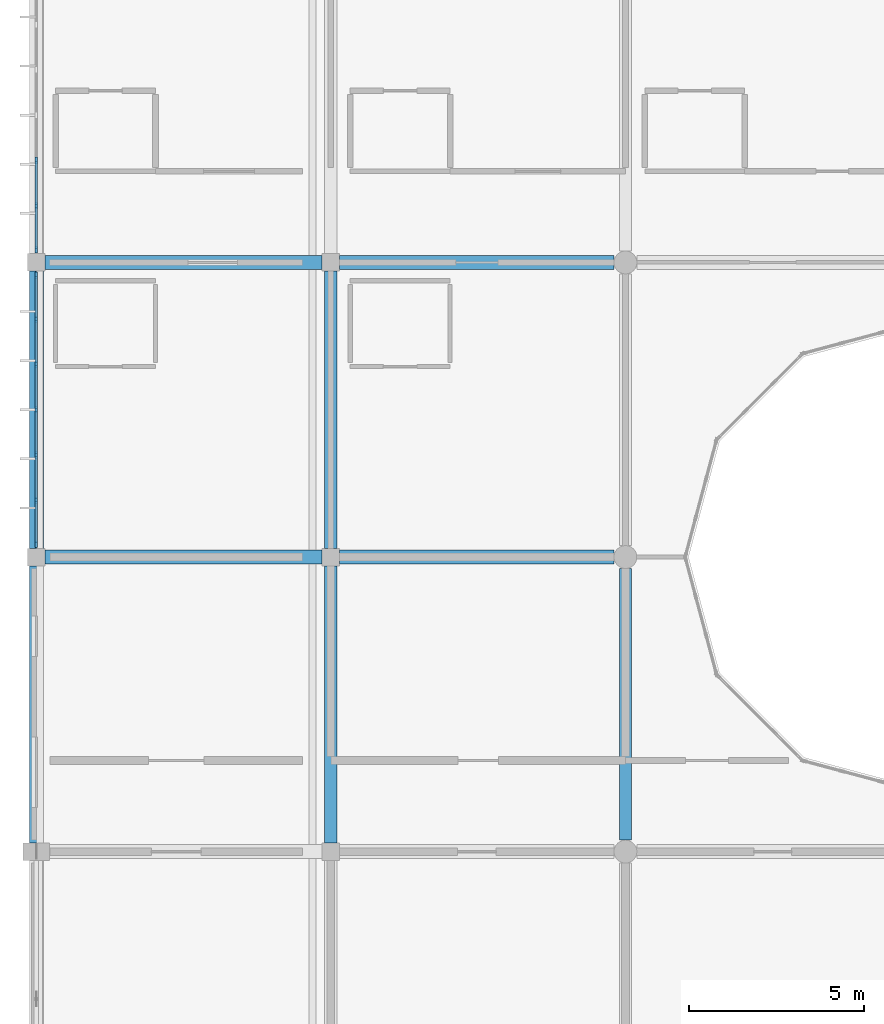
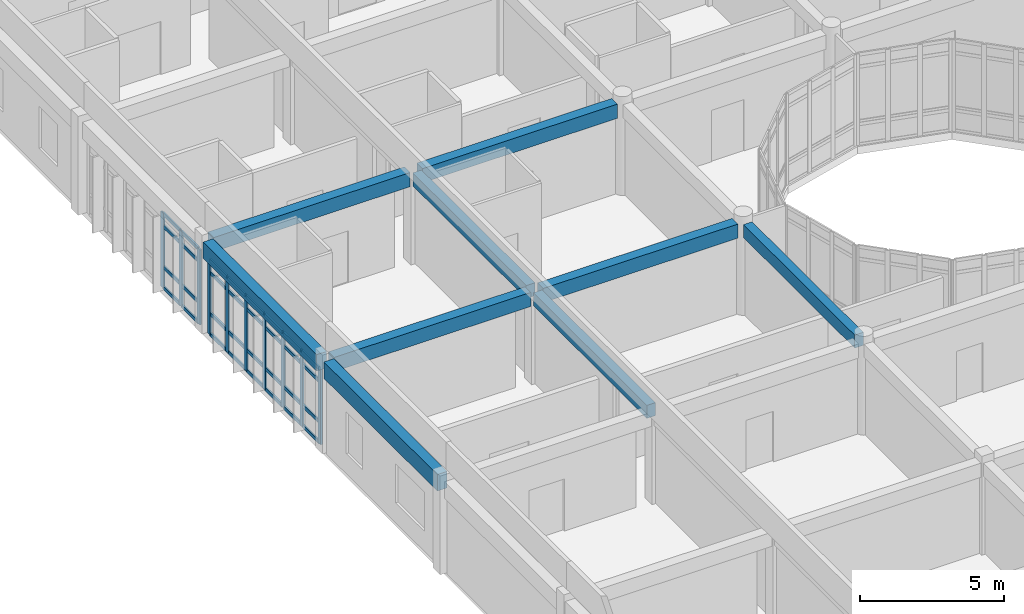
# One storey, part 19 of 119: 42 members, 9 beams, 2 elements without a shape of their own.
"""IFC4 building model written with IfcOpenShell, lengths in metres."""

from ifc_helpers import new_model, si_unit, direction, frame, origin, origin_2d, place, context, subcontext, project, spatial, rectangle, extrude, material, layer, layer_set, material_profile, profile_set, type_object, element, aggregate, save


model = new_model("IFC4")

# Units and contexts
model_context = context("Model", 3, precision=1e-05, world=origin(), true_north=direction((0.0, 1.0)))
body_context = subcontext(model_context, "Body", "Model", "MODEL_VIEW")
ifc_project = project(units=[si_unit("LENGTHUNIT", "METRE"), si_unit("AREAUNIT", "SQUARE_METRE"), si_unit("VOLUMEUNIT", "CUBIC_METRE"), si_unit("PLANEANGLEUNIT", "RADIAN"), si_unit("MASSUNIT", "GRAM", prefix="KILO")], contexts=[model_context])

# Site, building, storey
site_placement = place(None, origin())
site = spatial("IfcSite", under=ifc_project, at=site_placement, CompositionType="ELEMENT")
building_placement = place(site_placement, origin())
building = spatial("IfcBuilding", under=site, at=building_placement, Name="Bramfleet General Hospital", CompositionType="ELEMENT")
storey_placement = place(building_placement, frame((0.0, 0.0, 14.39990234375)))
storey = spatial("IfcBuildingStorey", under=building, at=storey_placement, Name="L03", CompositionType="ELEMENT", Elevation=14.39990234375)

# Beams
ifc_material_1 = material(Name="Concrete C35/45", Category="concrete")
ifc_material_profile_1 = material_profile(ifc_material_1, rectangle(XDim=0.35009765625, YDim=0.550048828125, at=origin_2d()), Name="RC BM 550x350")
ifc_profile_set_1 = profile_set([ifc_material_profile_1], Name="Concrete C35/45")
beam_type_1 = type_object("IfcBeamType", Name="BM-RC550", PredefinedType="BEAM", material=ifc_profile_set_1)
for number, where, z_axis, x_axis, name in (
    (1, (8.39990234375, 75.85009765625, 3.614990234375), (0.0, 1.0, 0.0), (-1.0, 0.0, 0.0), "L03 Grid Beam Y 01-09"),
    (2, (8.39990234375, 84.25, 3.614990234375), (0.0, 1.0, 0.0), (-1.0, 0.0, 0.0), "L03 Grid Beam Y 01-10"),
):
    element("IfcBeam", number, at=place(storey_placement, frame(where, z_axis=z_axis, x_axis=x_axis)), inside=storey, type_object=beam_type_1, Name=name, PredefinedType="BEAM", context=body_context, shape_type="SweptSolid", body=[
        extrude(rectangle(XDim=0.35009765625, YDim=0.550048828125, at=origin_2d()), origin(), (0.0, 0.0, 1.0), 7.89990234375),
    ])
beam_placement = place(storey_placement, frame((16.800048828125, 75.925048828125, 3.614990234375), z_axis=(0.0, 1.0, 0.0), x_axis=(-1.0, 0.0, 0.0)))
element("IfcBeam", 3, at=beam_placement, inside=storey, type_object=beam_type_1, Name="L03 Grid Beam Y 02-09", PredefinedType="BEAM", context=body_context, shape_type="SweptSolid", body=[
    extrude(rectangle(XDim=0.35009765625, YDim=0.550048828125, at=origin_2d()), origin(), (0.0, 0.0, 1.0), 7.75),
])
ifc_material_profile_2 = material_profile(ifc_material_1, rectangle(XDim=0.39990234375, YDim=0.60009765625, at=origin_2d()), Name="RC BM 600x400")
ifc_profile_set_2 = profile_set([ifc_material_profile_2], Name="Concrete C35/45")
beam_type_2 = type_object("IfcBeamType", Name="BM-RC600", PredefinedType="BEAM", material=ifc_profile_set_2)
for number, where, z_axis, x_axis, name in (
    (4, (0.25, 84.0, 3.60009765625), (1.0, 0.0, 0.0), (0.0, 1.0, 0.0), "L03 Grid Beam X 00-10"),
    (5, (0.25, 92.39990234375, 3.60009765625), (1.0, 0.0, 0.0), (0.0, 1.0, 0.0), "L03 Grid Beam X 00-11"),
):
    element("IfcBeam", number, at=place(storey_placement, frame(where, z_axis=z_axis, x_axis=x_axis)), inside=storey, type_object=beam_type_2, Name=name, PredefinedType="BEAM", context=body_context, shape_type="SweptSolid", body=[
        extrude(rectangle(XDim=0.39990234375, YDim=0.60009765625, at=origin_2d()), origin(), (0.0, 0.0, 1.0), 7.89990234375),
    ])
for number, where, z_axis, x_axis, name in (
    (6, (8.64990234375, 84.0, 3.590087890625), (1.0, 0.0, 0.0), (0.0, 1.0, 0.0), "L03 Grid Beam X 01-10"),
    (7, (8.64990234375, 92.39990234375, 3.590087890625), (1.0, 0.0, 0.0), (0.0, 1.0, 0.0), "L03 Grid Beam X 01-11"),
):
    element("IfcBeam", number, at=place(storey_placement, frame(where, z_axis=z_axis, x_axis=x_axis)), inside=storey, type_object=beam_type_2, Name=name, PredefinedType="BEAM", context=body_context, shape_type="SweptSolid", body=[
        extrude(rectangle(XDim=0.39990234375, YDim=0.60009765625, at=origin_2d()), origin(), (0.0, 0.0, 1.0), 7.8251953125),
    ])
ifc_material_profile_3 = material_profile(ifc_material_1, rectangle(XDim=0.39990234375, YDim=0.699951171875, at=origin_2d()), Name="RC SP 700x400")
ifc_profile_set_3 = profile_set([ifc_material_profile_3], Name="Concrete C35/45")
beam_type_3 = type_object("IfcBeamType", Name="BM-SP700", PredefinedType="SPANDREL", material=ifc_profile_set_3)
for number, where, z_axis, x_axis, name in (
    (8, (0.0, 75.85009765625, 3.550048828125), (0.0, 1.0, 0.0), (-1.0, 0.0, 0.0), "L03 Grid Beam Y 00-09"),
    (9, (0.0, 84.25, 3.550048828125), (0.0, 1.0, 0.0), (-1.0, 0.0, 0.0), "L03 Grid Beam Y 00-10"),
):
    element("IfcBeam", number, at=place(storey_placement, frame(where, z_axis=z_axis, x_axis=x_axis)), inside=storey, type_object=beam_type_3, Name=name, PredefinedType="SPANDREL", context=body_context, shape_type="SweptSolid", body=[
        extrude(rectangle(XDim=0.39990234375, YDim=0.699951171875, at=origin_2d()), origin(), (0.0, 0.0, 1.0), 7.89990234375),
    ])

# Curtain wall, members
ifc_material_2 = material(Name="Anodised aluminium and low-E triple glazing", Category="aluminium")
ifc_layer_1 = layer(ifc_material_2, 0.179931640625, Name="CWT-CW-17")
ifc_layer_set_1 = layer_set([ifc_layer_1], Name="Anodised aluminium and low-E triple glazing")
curtain_wall_type_1 = type_object("IfcCurtainWallType", Name="CWT-CW-17", PredefinedType="USERDEFINED", material=ifc_layer_set_1)
curtain_wall_1_placement = place(storey_placement, origin())
curtain_wall_1 = element("IfcCurtainWall", 10, at=curtain_wall_1_placement, inside=storey, type_object=curtain_wall_type_1, Name="L03 Curtain Wall 143", ObjectType="Stick curtain wall", PredefinedType="USERDEFINED")
ifc_material_3 = material(Name="Structural timber GL28h", Category="wood")
ifc_material_profile_4 = material_profile(ifc_material_3, rectangle(XDim=0.070068359375, YDim=0.18994140625, at=origin_2d()), Name="LARCH 190x70")
ifc_profile_set_4 = profile_set([ifc_material_profile_4], Name="Structural timber GL28h")
member_type_1 = type_object("IfcMemberType", Name="CWM-LARCH450", PredefinedType="MULLION", material=ifc_profile_set_4)
member_1_placement = place(storey_placement, frame((0.0, 84.360107421875, 0.0), z_axis=(0.0, 0.0, 1.0), x_axis=(-1.0, 0.0, 0.0)))
member_1 = element("IfcMember", 11, at=member_1_placement, type_object=member_type_1, Name="CW-17 mullion 1", PredefinedType="MULLION", context=body_context, shape_type="SweptSolid", body=[
    extrude(rectangle(XDim=0.070068359375, YDim=0.18994140625, at=origin_2d()), origin(), (0.0, 0.0, 1.0), 3.190185546875),
])
member_2_placement = place(storey_placement, frame((0.0, 85.61669921875, 0.0), z_axis=(0.0, 0.0, 1.0), x_axis=(-1.0, 0.0, 0.0)))
member_2 = element("IfcMember", 12, at=member_2_placement, type_object=member_type_1, Name="CW-17 mullion 2", PredefinedType="MULLION", context=body_context, shape_type="SweptSolid", body=[
    extrude(rectangle(XDim=0.070068359375, YDim=0.18994140625, at=origin_2d()), origin(), (0.0, 0.0, 1.0), 3.190185546875),
])
member_3_placement = place(storey_placement, frame((0.0, 86.908447265625, 0.0), z_axis=(0.0, 0.0, 1.0), x_axis=(-1.0, 0.0, 0.0)))
member_3 = element("IfcMember", 13, at=member_3_placement, type_object=member_type_1, Name="CW-17 mullion 3", PredefinedType="MULLION", context=body_context, shape_type="SweptSolid", body=[
    extrude(rectangle(XDim=0.070068359375, YDim=0.18994140625, at=origin_2d()), origin(), (0.0, 0.0, 1.0), 3.190185546875),
])
member_4_placement = place(storey_placement, frame((0.0, 88.199951171875, 0.0), z_axis=(0.0, 0.0, 1.0), x_axis=(-1.0, 0.0, 0.0)))
member_4 = element("IfcMember", 14, at=member_4_placement, type_object=member_type_1, Name="CW-17 mullion 4", PredefinedType="MULLION", context=body_context, shape_type="SweptSolid", body=[
    extrude(rectangle(XDim=0.070068359375, YDim=0.18994140625, at=origin_2d()), origin(), (0.0, 0.0, 1.0), 3.190185546875),
])
member_5_placement = place(storey_placement, frame((0.0, 89.49169921875, 0.0), z_axis=(0.0, 0.0, 1.0), x_axis=(-1.0, 0.0, 0.0)))
member_5 = element("IfcMember", 15, at=member_5_placement, type_object=member_type_1, Name="CW-17 mullion 5", PredefinedType="MULLION", context=body_context, shape_type="SweptSolid", body=[
    extrude(rectangle(XDim=0.070068359375, YDim=0.18994140625, at=origin_2d()), origin(), (0.0, 0.0, 1.0), 3.190185546875),
])
member_6_placement = place(storey_placement, frame((0.0, 90.783447265625, 0.0), z_axis=(0.0, 0.0, 1.0), x_axis=(-1.0, 0.0, 0.0)))
member_6 = element("IfcMember", 16, at=member_6_placement, type_object=member_type_1, Name="CW-17 mullion 6", PredefinedType="MULLION", context=body_context, shape_type="SweptSolid", body=[
    extrude(rectangle(XDim=0.070068359375, YDim=0.18994140625, at=origin_2d()), origin(), (0.0, 0.0, 1.0), 3.190185546875),
])
member_7_placement = place(storey_placement, frame((0.0, 92.0400390625, 0.0), z_axis=(0.0, 0.0, 1.0), x_axis=(-1.0, 0.0, 0.0)))
member_7 = element("IfcMember", 17, at=member_7_placement, type_object=member_type_1, Name="CW-17 mullion 7", PredefinedType="MULLION", context=body_context, shape_type="SweptSolid", body=[
    extrude(rectangle(XDim=0.070068359375, YDim=0.18994140625, at=origin_2d()), origin(), (0.0, 0.0, 1.0), 3.190185546875),
])

ifc_layer_2 = layer(ifc_material_2, 0.179931640625, Name="CWT-CW-18")
ifc_layer_set_2 = layer_set([ifc_layer_2], Name="Anodised aluminium and low-E triple glazing")
curtain_wall_type_2 = type_object("IfcCurtainWallType", Name="CWT-CW-18", PredefinedType="USERDEFINED", material=ifc_layer_set_2)
curtain_wall_2_placement = place(storey_placement, origin())
curtain_wall_2 = element("IfcCurtainWall", 18, at=curtain_wall_2_placement, inside=storey, type_object=curtain_wall_type_2, Name="L03 Curtain Wall 144", ObjectType="Stick curtain wall", PredefinedType="USERDEFINED")
member_8_placement = place(storey_placement, frame((0.0, 92.760009765625, 0.0), z_axis=(0.0, 0.0, 1.0), x_axis=(-1.0, 0.0, 0.0)))
member_8 = element("IfcMember", 19, at=member_8_placement, type_object=member_type_1, Name="CW-18 mullion 1", PredefinedType="MULLION", context=body_context, shape_type="SweptSolid", body=[
    extrude(rectangle(XDim=0.070068359375, YDim=0.18994140625, at=origin_2d()), origin(), (0.0, 0.0, 1.0), 3.190185546875),
])
member_9_placement = place(storey_placement, frame((0.0, 94.0166015625, 0.0), z_axis=(0.0, 0.0, 1.0), x_axis=(-1.0, 0.0, 0.0)))
member_9 = element("IfcMember", 20, at=member_9_placement, type_object=member_type_1, Name="CW-18 mullion 2", PredefinedType="MULLION", context=body_context, shape_type="SweptSolid", body=[
    extrude(rectangle(XDim=0.070068359375, YDim=0.18994140625, at=origin_2d()), origin(), (0.0, 0.0, 1.0), 3.190185546875),
])
member_10_placement = place(storey_placement, frame((0.0, 95.308349609375, 0.0), z_axis=(0.0, 0.0, 1.0), x_axis=(-1.0, 0.0, 0.0)))
member_10 = element("IfcMember", 21, at=member_10_placement, type_object=member_type_1, Name="CW-18 mullion 3", PredefinedType="MULLION", context=body_context, shape_type="SweptSolid", body=[
    extrude(rectangle(XDim=0.070068359375, YDim=0.18994140625, at=origin_2d()), origin(), (0.0, 0.0, 1.0), 3.190185546875),
])

# Member
ifc_material_profile_5 = material_profile(ifc_material_3, rectangle(XDim=0.06494140625, YDim=0.14990234375, at=origin_2d()), Name="LARCH 150x65")
ifc_profile_set_5 = profile_set([ifc_material_profile_5], Name="Structural timber GL28h")
member_type_2 = type_object("IfcMemberType", Name="CWT-LARCH220", PredefinedType="USERDEFINED", material=ifc_profile_set_5)
member_11_placement = place(storey_placement, frame((0.0, 84.39501953125, 0.03271484375), z_axis=(0.0, 1.0, 0.0), x_axis=(-1.0, 0.0, 0.0)))
member_11 = element("IfcMember", 22, at=member_11_placement, type_object=member_type_2, Name="CW-17 transom 1.1", ObjectType="TRANSOM", PredefinedType="USERDEFINED", context=body_context, shape_type="SweptSolid", body=[
    extrude(rectangle(XDim=0.06494140625, YDim=0.14990234375, at=origin_2d()), origin(), (0.0, 0.0, 1.0), 1.186767578125),
])

member_12_placement = place(storey_placement, frame((0.0, 84.39501953125, 0.900146484375), z_axis=(0.0, 1.0, 0.0), x_axis=(-1.0, 0.0, 0.0)))
member_12 = element("IfcMember", 23, at=member_12_placement, type_object=member_type_2, Name="CW-17 transom 1.2", ObjectType="TRANSOM", PredefinedType="USERDEFINED", context=body_context, shape_type="SweptSolid", body=[
    extrude(rectangle(XDim=0.06494140625, YDim=0.14990234375, at=origin_2d()), origin(), (0.0, 0.0, 1.0), 1.186767578125),
])

member_13_placement = place(storey_placement, frame((0.0, 84.39501953125, 2.64013671875), z_axis=(0.0, 1.0, 0.0), x_axis=(-1.0, 0.0, 0.0)))
member_13 = element("IfcMember", 24, at=member_13_placement, type_object=member_type_2, Name="CW-17 transom 1.3", ObjectType="TRANSOM", PredefinedType="USERDEFINED", context=body_context, shape_type="SweptSolid", body=[
    extrude(rectangle(XDim=0.06494140625, YDim=0.14990234375, at=origin_2d()), origin(), (0.0, 0.0, 1.0), 1.186767578125),
])

member_14_placement = place(storey_placement, frame((0.0, 84.39501953125, 3.15771484375), z_axis=(0.0, 1.0, 0.0), x_axis=(-1.0, 0.0, 0.0)))
member_14 = element("IfcMember", 25, at=member_14_placement, type_object=member_type_2, Name="CW-17 transom 1.4", ObjectType="TRANSOM", PredefinedType="USERDEFINED", context=body_context, shape_type="SweptSolid", body=[
    extrude(rectangle(XDim=0.06494140625, YDim=0.14990234375, at=origin_2d()), origin(), (0.0, 0.0, 1.0), 1.186767578125),
])

member_15_placement = place(storey_placement, frame((0.0, 85.651611328125, 0.03271484375), z_axis=(0.0, 1.0, 0.0), x_axis=(-1.0, 0.0, 0.0)))
member_15 = element("IfcMember", 26, at=member_15_placement, type_object=member_type_2, Name="CW-17 transom 2.1", ObjectType="TRANSOM", PredefinedType="USERDEFINED", context=body_context, shape_type="SweptSolid", body=[
    extrude(rectangle(XDim=0.06494140625, YDim=0.14990234375, at=origin_2d()), origin(), (0.0, 0.0, 1.0), 1.2216796875),
])

member_16_placement = place(storey_placement, frame((0.0, 85.651611328125, 0.900146484375), z_axis=(0.0, 1.0, 0.0), x_axis=(-1.0, 0.0, 0.0)))
member_16 = element("IfcMember", 27, at=member_16_placement, type_object=member_type_2, Name="CW-17 transom 2.2", ObjectType="TRANSOM", PredefinedType="USERDEFINED", context=body_context, shape_type="SweptSolid", body=[
    extrude(rectangle(XDim=0.06494140625, YDim=0.14990234375, at=origin_2d()), origin(), (0.0, 0.0, 1.0), 1.2216796875),
])

member_17_placement = place(storey_placement, frame((0.0, 85.651611328125, 2.64013671875), z_axis=(0.0, 1.0, 0.0), x_axis=(-1.0, 0.0, 0.0)))
member_17 = element("IfcMember", 28, at=member_17_placement, type_object=member_type_2, Name="CW-17 transom 2.3", ObjectType="TRANSOM", PredefinedType="USERDEFINED", context=body_context, shape_type="SweptSolid", body=[
    extrude(rectangle(XDim=0.06494140625, YDim=0.14990234375, at=origin_2d()), origin(), (0.0, 0.0, 1.0), 1.2216796875),
])

member_18_placement = place(storey_placement, frame((0.0, 85.651611328125, 3.15771484375), z_axis=(0.0, 1.0, 0.0), x_axis=(-1.0, 0.0, 0.0)))
member_18 = element("IfcMember", 29, at=member_18_placement, type_object=member_type_2, Name="CW-17 transom 2.4", ObjectType="TRANSOM", PredefinedType="USERDEFINED", context=body_context, shape_type="SweptSolid", body=[
    extrude(rectangle(XDim=0.06494140625, YDim=0.14990234375, at=origin_2d()), origin(), (0.0, 0.0, 1.0), 1.2216796875),
])

member_19_placement = place(storey_placement, frame((0.0, 86.943359375, 0.03271484375), z_axis=(0.0, 1.0, 0.0), x_axis=(-1.0, 0.0, 0.0)))
member_19 = element("IfcMember", 30, at=member_19_placement, type_object=member_type_2, Name="CW-17 transom 3.1", ObjectType="TRANSOM", PredefinedType="USERDEFINED", context=body_context, shape_type="SweptSolid", body=[
    extrude(rectangle(XDim=0.06494140625, YDim=0.14990234375, at=origin_2d()), origin(), (0.0, 0.0, 1.0), 1.2216796875),
])

member_20_placement = place(storey_placement, frame((0.0, 86.943359375, 0.900146484375), z_axis=(0.0, 1.0, 0.0), x_axis=(-1.0, 0.0, 0.0)))
member_20 = element("IfcMember", 31, at=member_20_placement, type_object=member_type_2, Name="CW-17 transom 3.2", ObjectType="TRANSOM", PredefinedType="USERDEFINED", context=body_context, shape_type="SweptSolid", body=[
    extrude(rectangle(XDim=0.06494140625, YDim=0.14990234375, at=origin_2d()), origin(), (0.0, 0.0, 1.0), 1.2216796875),
])

member_21_placement = place(storey_placement, frame((0.0, 86.943359375, 2.64013671875), z_axis=(0.0, 1.0, 0.0), x_axis=(-1.0, 0.0, 0.0)))
member_21 = element("IfcMember", 32, at=member_21_placement, type_object=member_type_2, Name="CW-17 transom 3.3", ObjectType="TRANSOM", PredefinedType="USERDEFINED", context=body_context, shape_type="SweptSolid", body=[
    extrude(rectangle(XDim=0.06494140625, YDim=0.14990234375, at=origin_2d()), origin(), (0.0, 0.0, 1.0), 1.2216796875),
])

member_22_placement = place(storey_placement, frame((0.0, 86.943359375, 3.15771484375), z_axis=(0.0, 1.0, 0.0), x_axis=(-1.0, 0.0, 0.0)))
member_22 = element("IfcMember", 33, at=member_22_placement, type_object=member_type_2, Name="CW-17 transom 3.4", ObjectType="TRANSOM", PredefinedType="USERDEFINED", context=body_context, shape_type="SweptSolid", body=[
    extrude(rectangle(XDim=0.06494140625, YDim=0.14990234375, at=origin_2d()), origin(), (0.0, 0.0, 1.0), 1.2216796875),
])

member_23_placement = place(storey_placement, frame((0.0, 88.235107421875, 0.03271484375), z_axis=(0.0, 1.0, 0.0), x_axis=(-1.0, 0.0, 0.0)))
member_23 = element("IfcMember", 34, at=member_23_placement, type_object=member_type_2, Name="CW-17 transom 4.1", ObjectType="TRANSOM", PredefinedType="USERDEFINED", context=body_context, shape_type="SweptSolid", body=[
    extrude(rectangle(XDim=0.06494140625, YDim=0.14990234375, at=origin_2d()), origin(), (0.0, 0.0, 1.0), 1.2216796875),
])

member_24_placement = place(storey_placement, frame((0.0, 88.235107421875, 0.900146484375), z_axis=(0.0, 1.0, 0.0), x_axis=(-1.0, 0.0, 0.0)))
member_24 = element("IfcMember", 35, at=member_24_placement, type_object=member_type_2, Name="CW-17 transom 4.2", ObjectType="TRANSOM", PredefinedType="USERDEFINED", context=body_context, shape_type="SweptSolid", body=[
    extrude(rectangle(XDim=0.06494140625, YDim=0.14990234375, at=origin_2d()), origin(), (0.0, 0.0, 1.0), 1.2216796875),
])

member_25_placement = place(storey_placement, frame((0.0, 88.235107421875, 2.64013671875), z_axis=(0.0, 1.0, 0.0), x_axis=(-1.0, 0.0, 0.0)))
member_25 = element("IfcMember", 36, at=member_25_placement, type_object=member_type_2, Name="CW-17 transom 4.3", ObjectType="TRANSOM", PredefinedType="USERDEFINED", context=body_context, shape_type="SweptSolid", body=[
    extrude(rectangle(XDim=0.06494140625, YDim=0.14990234375, at=origin_2d()), origin(), (0.0, 0.0, 1.0), 1.2216796875),
])

member_26_placement = place(storey_placement, frame((0.0, 88.235107421875, 3.15771484375), z_axis=(0.0, 1.0, 0.0), x_axis=(-1.0, 0.0, 0.0)))
member_26 = element("IfcMember", 37, at=member_26_placement, type_object=member_type_2, Name="CW-17 transom 4.4", ObjectType="TRANSOM", PredefinedType="USERDEFINED", context=body_context, shape_type="SweptSolid", body=[
    extrude(rectangle(XDim=0.06494140625, YDim=0.14990234375, at=origin_2d()), origin(), (0.0, 0.0, 1.0), 1.2216796875),
])

member_27_placement = place(storey_placement, frame((0.0, 89.526611328125, 0.03271484375), z_axis=(0.0, 1.0, 0.0), x_axis=(-1.0, 0.0, 0.0)))
member_27 = element("IfcMember", 38, at=member_27_placement, type_object=member_type_2, Name="CW-17 transom 5.1", ObjectType="TRANSOM", PredefinedType="USERDEFINED", context=body_context, shape_type="SweptSolid", body=[
    extrude(rectangle(XDim=0.06494140625, YDim=0.14990234375, at=origin_2d()), origin(), (0.0, 0.0, 1.0), 1.2216796875),
])

member_28_placement = place(storey_placement, frame((0.0, 89.526611328125, 0.900146484375), z_axis=(0.0, 1.0, 0.0), x_axis=(-1.0, 0.0, 0.0)))
member_28 = element("IfcMember", 39, at=member_28_placement, type_object=member_type_2, Name="CW-17 transom 5.2", ObjectType="TRANSOM", PredefinedType="USERDEFINED", context=body_context, shape_type="SweptSolid", body=[
    extrude(rectangle(XDim=0.06494140625, YDim=0.14990234375, at=origin_2d()), origin(), (0.0, 0.0, 1.0), 1.2216796875),
])

member_29_placement = place(storey_placement, frame((0.0, 89.526611328125, 2.64013671875), z_axis=(0.0, 1.0, 0.0), x_axis=(-1.0, 0.0, 0.0)))
member_29 = element("IfcMember", 40, at=member_29_placement, type_object=member_type_2, Name="CW-17 transom 5.3", ObjectType="TRANSOM", PredefinedType="USERDEFINED", context=body_context, shape_type="SweptSolid", body=[
    extrude(rectangle(XDim=0.06494140625, YDim=0.14990234375, at=origin_2d()), origin(), (0.0, 0.0, 1.0), 1.2216796875),
])

member_30_placement = place(storey_placement, frame((0.0, 89.526611328125, 3.15771484375), z_axis=(0.0, 1.0, 0.0), x_axis=(-1.0, 0.0, 0.0)))
member_30 = element("IfcMember", 41, at=member_30_placement, type_object=member_type_2, Name="CW-17 transom 5.4", ObjectType="TRANSOM", PredefinedType="USERDEFINED", context=body_context, shape_type="SweptSolid", body=[
    extrude(rectangle(XDim=0.06494140625, YDim=0.14990234375, at=origin_2d()), origin(), (0.0, 0.0, 1.0), 1.2216796875),
])

member_31_placement = place(storey_placement, frame((0.0, 90.818359375, 0.03271484375), z_axis=(0.0, 1.0, 0.0), x_axis=(-1.0, 0.0, 0.0)))
member_31 = element("IfcMember", 42, at=member_31_placement, type_object=member_type_2, Name="CW-17 transom 6.1", ObjectType="TRANSOM", PredefinedType="USERDEFINED", context=body_context, shape_type="SweptSolid", body=[
    extrude(rectangle(XDim=0.06494140625, YDim=0.14990234375, at=origin_2d()), origin(), (0.0, 0.0, 1.0), 1.1865234375),
])

member_32_placement = place(storey_placement, frame((0.0, 90.818359375, 0.900146484375), z_axis=(0.0, 1.0, 0.0), x_axis=(-1.0, 0.0, 0.0)))
member_32 = element("IfcMember", 43, at=member_32_placement, type_object=member_type_2, Name="CW-17 transom 6.2", ObjectType="TRANSOM", PredefinedType="USERDEFINED", context=body_context, shape_type="SweptSolid", body=[
    extrude(rectangle(XDim=0.06494140625, YDim=0.14990234375, at=origin_2d()), origin(), (0.0, 0.0, 1.0), 1.1865234375),
])

member_33_placement = place(storey_placement, frame((0.0, 90.818359375, 2.64013671875), z_axis=(0.0, 1.0, 0.0), x_axis=(-1.0, 0.0, 0.0)))
member_33 = element("IfcMember", 44, at=member_33_placement, type_object=member_type_2, Name="CW-17 transom 6.3", ObjectType="TRANSOM", PredefinedType="USERDEFINED", context=body_context, shape_type="SweptSolid", body=[
    extrude(rectangle(XDim=0.06494140625, YDim=0.14990234375, at=origin_2d()), origin(), (0.0, 0.0, 1.0), 1.1865234375),
])

member_34_placement = place(storey_placement, frame((0.0, 90.818359375, 3.15771484375), z_axis=(0.0, 1.0, 0.0), x_axis=(-1.0, 0.0, 0.0)))
member_34 = element("IfcMember", 45, at=member_34_placement, type_object=member_type_2, Name="CW-17 transom 6.4", ObjectType="TRANSOM", PredefinedType="USERDEFINED", context=body_context, shape_type="SweptSolid", body=[
    extrude(rectangle(XDim=0.06494140625, YDim=0.14990234375, at=origin_2d()), origin(), (0.0, 0.0, 1.0), 1.1865234375),
])

aggregate(curtain_wall_1, [member_1, member_2, member_3, member_4, member_5, member_6, member_7, member_11, member_12, member_13, member_14, member_15, member_16, member_17, member_18, member_19, member_20, member_21, member_22, member_23, member_24, member_25, member_26, member_27, member_28, member_29, member_30, member_31, member_32, member_33, member_34])

member_35_placement = place(storey_placement, frame((0.0, 92.794921875, 0.03271484375), z_axis=(0.0, 1.0, 0.0), x_axis=(-1.0, 0.0, 0.0)))
member_35 = element("IfcMember", 46, at=member_35_placement, type_object=member_type_2, Name="CW-18 transom 1.1", ObjectType="TRANSOM", PredefinedType="USERDEFINED", context=body_context, shape_type="SweptSolid", body=[
    extrude(rectangle(XDim=0.06494140625, YDim=0.14990234375, at=origin_2d()), origin(), (0.0, 0.0, 1.0), 1.186767578125),
])

member_36_placement = place(storey_placement, frame((0.0, 92.794921875, 0.900146484375), z_axis=(0.0, 1.0, 0.0), x_axis=(-1.0, 0.0, 0.0)))
member_36 = element("IfcMember", 47, at=member_36_placement, type_object=member_type_2, Name="CW-18 transom 1.2", ObjectType="TRANSOM", PredefinedType="USERDEFINED", context=body_context, shape_type="SweptSolid", body=[
    extrude(rectangle(XDim=0.06494140625, YDim=0.14990234375, at=origin_2d()), origin(), (0.0, 0.0, 1.0), 1.186767578125),
])

member_37_placement = place(storey_placement, frame((0.0, 92.794921875, 2.64013671875), z_axis=(0.0, 1.0, 0.0), x_axis=(-1.0, 0.0, 0.0)))
member_37 = element("IfcMember", 48, at=member_37_placement, type_object=member_type_2, Name="CW-18 transom 1.3", ObjectType="TRANSOM", PredefinedType="USERDEFINED", context=body_context, shape_type="SweptSolid", body=[
    extrude(rectangle(XDim=0.06494140625, YDim=0.14990234375, at=origin_2d()), origin(), (0.0, 0.0, 1.0), 1.186767578125),
])

member_38_placement = place(storey_placement, frame((0.0, 92.794921875, 3.15771484375), z_axis=(0.0, 1.0, 0.0), x_axis=(-1.0, 0.0, 0.0)))
member_38 = element("IfcMember", 49, at=member_38_placement, type_object=member_type_2, Name="CW-18 transom 1.4", ObjectType="TRANSOM", PredefinedType="USERDEFINED", context=body_context, shape_type="SweptSolid", body=[
    extrude(rectangle(XDim=0.06494140625, YDim=0.14990234375, at=origin_2d()), origin(), (0.0, 0.0, 1.0), 1.186767578125),
])

member_39_placement = place(storey_placement, frame((0.0, 94.0517578125, 0.03271484375), z_axis=(0.0, 1.0, 0.0), x_axis=(-1.0, 0.0, 0.0)))
member_39 = element("IfcMember", 50, at=member_39_placement, type_object=member_type_2, Name="CW-18 transom 2.1", ObjectType="TRANSOM", PredefinedType="USERDEFINED", context=body_context, shape_type="SweptSolid", body=[
    extrude(rectangle(XDim=0.06494140625, YDim=0.14990234375, at=origin_2d()), origin(), (0.0, 0.0, 1.0), 1.2216796875),
])

member_40_placement = place(storey_placement, frame((0.0, 94.0517578125, 0.900146484375), z_axis=(0.0, 1.0, 0.0), x_axis=(-1.0, 0.0, 0.0)))
member_40 = element("IfcMember", 51, at=member_40_placement, type_object=member_type_2, Name="CW-18 transom 2.2", ObjectType="TRANSOM", PredefinedType="USERDEFINED", context=body_context, shape_type="SweptSolid", body=[
    extrude(rectangle(XDim=0.06494140625, YDim=0.14990234375, at=origin_2d()), origin(), (0.0, 0.0, 1.0), 1.2216796875),
])

member_41_placement = place(storey_placement, frame((0.0, 94.0517578125, 2.64013671875), z_axis=(0.0, 1.0, 0.0), x_axis=(-1.0, 0.0, 0.0)))
member_41 = element("IfcMember", 52, at=member_41_placement, type_object=member_type_2, Name="CW-18 transom 2.3", ObjectType="TRANSOM", PredefinedType="USERDEFINED", context=body_context, shape_type="SweptSolid", body=[
    extrude(rectangle(XDim=0.06494140625, YDim=0.14990234375, at=origin_2d()), origin(), (0.0, 0.0, 1.0), 1.2216796875),
])

member_42_placement = place(storey_placement, frame((0.0, 94.0517578125, 3.15771484375), z_axis=(0.0, 1.0, 0.0), x_axis=(-1.0, 0.0, 0.0)))
member_42 = element("IfcMember", 53, at=member_42_placement, type_object=member_type_2, Name="CW-18 transom 2.4", ObjectType="TRANSOM", PredefinedType="USERDEFINED", context=body_context, shape_type="SweptSolid", body=[
    extrude(rectangle(XDim=0.06494140625, YDim=0.14990234375, at=origin_2d()), origin(), (0.0, 0.0, 1.0), 1.2216796875),
])

aggregate(curtain_wall_2, [member_8, member_9, member_10, member_35, member_36, member_37, member_38, member_39, member_40, member_41, member_42])

save(model, "model.ifc")
